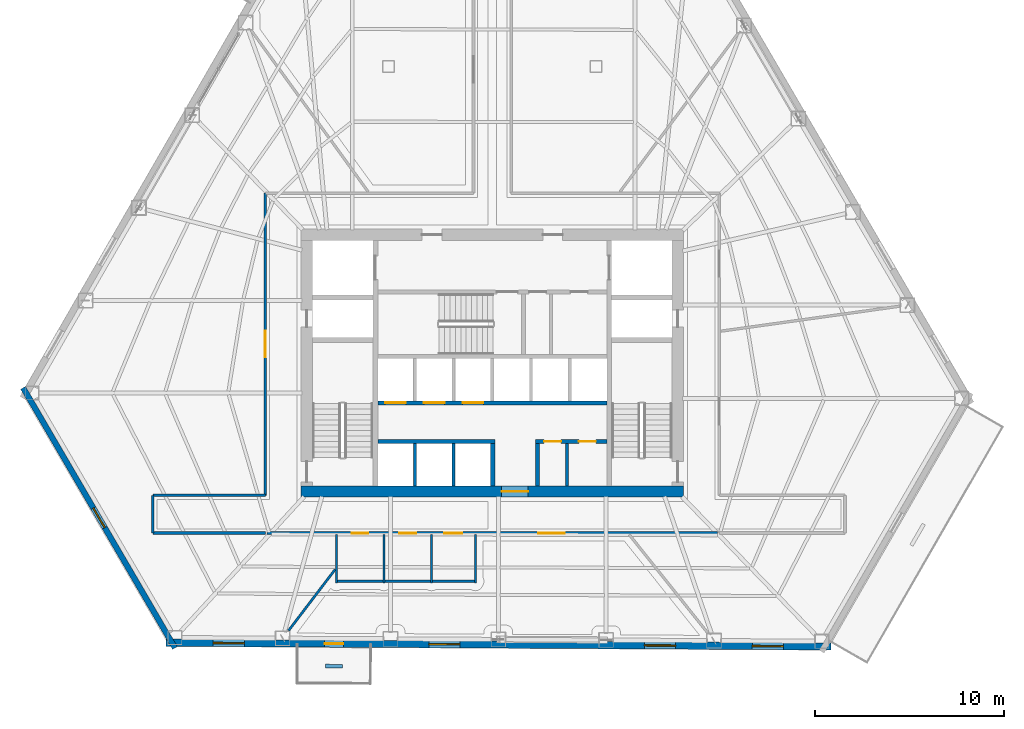
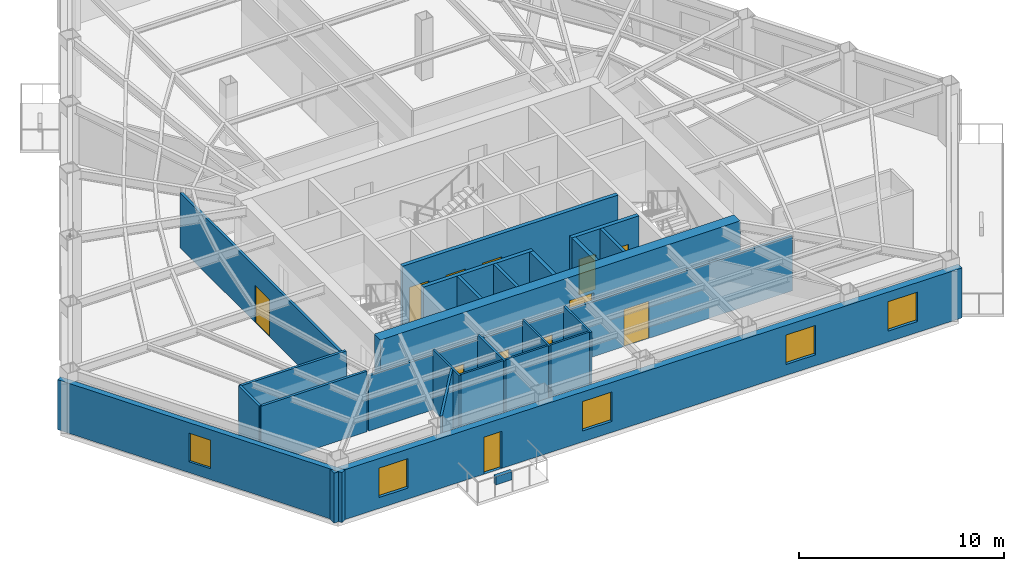
# One storey, part 10 of 16: 23 walls, 12 doors, 5 windows, 17 openings.
"""IFC4 building model written with IfcOpenShell, lengths in metres."""

import ifcopenshell
import ifcopenshell.guid

model = None  # the IFC model being written
_history = None  # IfcOwnerHistory: only IFC2X3 demands one
_inside = {}  # id of a spatial element -> (the spatial element, [elements in it])
_under = {}  # id of a project, library or spatial element -> (it, [spatial elements below it])
_declared = {}  # id of a project -> (the project, [libraries it declares])
_typed = {}  # id of a type object -> (the type object, [elements of that type])
_made_of = {}  # id of a material, layer set ... -> (it, [elements and type objects made of it])


def new_model(schema):
    """Start an empty IFC model of exactly this schema.

    Asked for "IFC4X3", IfcOpenShell would pick the latest addendum, in which some entities
    have other attributes; the version numbers below select the first issue.
    IFC2X3 requires an IfcOwnerHistory on every rooted entity: one is made here for all.
    """
    global model, _history
    if schema == "IFC4X3":
        model = ifcopenshell.file(schema_version=(4, 3, 0, 0))
    else:
        model = ifcopenshell.file(schema=schema)
    _inside.clear()
    _under.clear()
    _declared.clear()
    _typed.clear()
    _made_of.clear()
    _history = None
    if model.schema == "IFC2X3":
        org = make("IfcOrganization", Name="unknown")
        user = make(
            "IfcPersonAndOrganization",
            ThePerson=make("IfcPerson", FamilyName="unknown"),
            TheOrganization=org,
        )
        app = make(
            "IfcApplication",
            ApplicationDeveloper=org,
            Version="unknown",
            ApplicationFullName="unknown",
            ApplicationIdentifier="unknown",
        )
        _history = make(
            "IfcOwnerHistory",
            OwningUser=user,
            OwningApplication=app,
            ChangeAction="ADDED",
            CreationDate=0,
        )
    return model


def make(cls, **values):
    """One entity of the class cls with the attributes given. An attribute that is None is left unset."""
    return model.create_entity(
        cls, **{name: value for name, value in values.items() if value is not None}
    )


def rooted(cls, **values):
    """An entity with a GlobalId (a new one), such as an element, a storey or a relation."""
    return make(cls, GlobalId=ifcopenshell.guid.new(), OwnerHistory=_history, **values)


def si_unit(unit_type, name, prefix=None):
    """IfcSIUnit, for example si_unit("LENGTHUNIT", "METRE", prefix="MILLI")."""
    return make("IfcSIUnit", UnitType=unit_type, Prefix=prefix, Name=name)


def assignment(units):
    """IfcUnitAssignment: the units of a project."""
    return None if units is None else make("IfcUnitAssignment", Units=units)


def point(xyz):
    """IfcCartesianPoint."""
    return None if xyz is None else make("IfcCartesianPoint", Coordinates=xyz)


def direction(xyz):
    """IfcDirection."""
    return None if xyz is None else make("IfcDirection", DirectionRatios=xyz)


def frame(location, z_axis=None, x_axis=None):
    """IfcAxis2Placement3D, a coordinate frame: its origin and axes. An axis left out is left unset."""
    return make(
        "IfcAxis2Placement3D",
        Location=point(location),
        Axis=direction(z_axis),
        RefDirection=direction(x_axis),
    )


def frame_2d(location, x_axis=None):
    """IfcAxis2Placement2D, a coordinate frame in the plane: its origin and x axis."""
    return make(
        "IfcAxis2Placement2D", Location=point(location), RefDirection=direction(x_axis)
    )


def origin():
    """The frame at (0, 0, 0) with its axes left unset."""
    return frame((0.0, 0.0, 0.0))


def place(relative_to, where):
    """IfcLocalPlacement: puts the frame where relative to a parent placement (None: the world)."""
    return make(
        "IfcLocalPlacement", PlacementRelTo=relative_to, RelativePlacement=where
    )


def context(
    kind, dimensions, precision=None, world=None, true_north=None, identifier=None
):
    """IfcGeometricRepresentationContext, for example the 3D "Model" context."""
    return make(
        "IfcGeometricRepresentationContext",
        ContextIdentifier=identifier,
        ContextType=kind,
        CoordinateSpaceDimension=dimensions,
        Precision=precision,
        WorldCoordinateSystem=world,
        TrueNorth=true_north,
    )


def subcontext(parent, identifier, kind, view, scale=None):
    """IfcGeometricRepresentationSubContext, for example "Body" below "Model"."""
    return make(
        "IfcGeometricRepresentationSubContext",
        ContextIdentifier=identifier,
        ContextType=kind,
        ParentContext=parent,
        TargetScale=scale,
        TargetView=view,
    )


def project(units=None, contexts=None):
    """IfcProject with its units and contexts."""
    return rooted(
        "IfcProject",
        Name="project",
        RepresentationContexts=contexts,
        UnitsInContext=assignment(units),
    )


def spatial(cls, under=None, at=None, **own):
    """A site, building, storey or space (cls), placed at a placement, below another one or the project."""
    s = rooted(cls, ObjectPlacement=at, **own)
    if under is not None:
        _under.setdefault(under.id(), (under, []))[1].append(s)
    return s


def profile(cls, at=None, kind="AREA", **sizes):
    """A parametric profile (cls). Its sizes go by their IFC names, for example OverallWidth=200.0."""
    return make(cls, ProfileType=kind, Position=at, **sizes)


def rectangle(**sizes):
    """IfcRectangleProfileDef."""
    return profile("IfcRectangleProfileDef", **sizes)


def extrude(swept, where, along, depth):
    """IfcExtrudedAreaSolid: the profile swept, set in the frame where, extruded along a direction by depth."""
    return make(
        "IfcExtrudedAreaSolid",
        SweptArea=swept,
        Position=where,
        ExtrudedDirection=direction(along),
        Depth=depth,
    )


def shape(context_of_items, identifier, shape_type, items):
    """IfcShapeRepresentation: the items that make up one representation, for example the "Body"."""
    return make(
        "IfcShapeRepresentation",
        ContextOfItems=context_of_items,
        RepresentationIdentifier=identifier,
        RepresentationType=shape_type,
        Items=items,
    )


def material(Name=None, Category=None):
    """IfcMaterial."""
    return make("IfcMaterial", Name=Name, Category=Category)


def layer(
    of_material, thickness, ventilated=None, Name=None, Category=None, Priority=None
):
    """IfcMaterialLayer: one layer of a wall or slab, of a material (None: an air gap)."""
    return make(
        "IfcMaterialLayer",
        Material=of_material,
        LayerThickness=thickness,
        IsVentilated=ventilated,
        Name=Name,
        Category=Category,
        Priority=Priority,
    )


def layer_set(layers, Name=None):
    """IfcMaterialLayerSet."""
    return make("IfcMaterialLayerSet", MaterialLayers=layers, LayerSetName=Name)


def made_of(thing, what):
    """Note that an element or type object is made of a material, layer set ...; save() writes the relation."""
    if what is not None:
        _made_of.setdefault(what.id(), (what, []))[1].append(thing)
    return thing


def type_object(cls, material=None, **own):
    """A type object (cls), such as IfcWallType, which elements share."""
    return made_of(rooted(cls, **own), material)


def element(
    cls,
    number,
    at=None,
    inside=None,
    cuts=None,
    type_object=None,
    material=None,
    context=None,
    identifier="Body",
    shape_type=None,
    held_by="IfcProductDefinitionShape",
    body=None,
    shapes=None,
    **own,
):
    """One element of the class cls, such as IfcWall. Its Tag is "e" and its number.

    at: its placement. inside: the storey or other place that contains it. cuts: it is an
    opening in that element (IfcRelVoidsElement). A single representation is given by context,
    identifier, shape_type and body (its items); several are given by shapes. held_by: the class
    of the entity that holds the representations. save() writes the other relations.
    """
    e = rooted(cls, Tag="e%d" % number, ObjectPlacement=at, **own)
    if body is not None:
        shapes = [shape(context, identifier, shape_type, body)]
    if shapes is not None:
        e.Representation = make(held_by, Representations=shapes)
    if inside is not None:
        _inside.setdefault(inside.id(), (inside, []))[1].append(e)
    if cuts is not None:
        rooted(
            "IfcRelVoidsElement", RelatingBuildingElement=cuts, RelatedOpeningElement=e
        )
    if type_object is not None:
        _typed.setdefault(type_object.id(), (type_object, []))[1].append(e)
    return made_of(e, material)


def fill(opening, filler):
    """IfcRelFillsElement: the door or window that sits in an opening."""
    return rooted(
        "IfcRelFillsElement",
        RelatingOpeningElement=opening,
        RelatedBuildingElement=filler,
    )


def aggregate(whole, parts):
    """IfcRelAggregates: a whole, such as a stair, and the parts it consists of."""
    return rooted("IfcRelAggregates", RelatingObject=whole, RelatedObjects=parts)


def save(model, path):
    """Write the relations noted so far, then the file.

    IfcRelAggregates (storeys below a building ...), IfcRelContainedInSpatialStructure (elements
    in a storey), IfcRelDefinesByType, IfcRelAssociatesMaterial and IfcRelDeclares: one each for
    every whole, place, type object, material and project.
    """
    for whole, parts in _under.values():
        aggregate(whole, parts)
    for where, things in _inside.values():
        rooted(
            "IfcRelContainedInSpatialStructure",
            RelatedElements=things,
            RelatingStructure=where,
        )
    for kind, things in _typed.values():
        rooted("IfcRelDefinesByType", RelatedObjects=things, RelatingType=kind)
    for what, things in _made_of.values():
        rooted("IfcRelAssociatesMaterial", RelatedObjects=things, RelatingMaterial=what)
    for by, libraries in _declared.values():
        rooted("IfcRelDeclares", RelatingContext=by, RelatedDefinitions=libraries)
    model.write(path)


model = new_model("IFC4")

# Units and contexts
model_context = context("Model", 3, precision=1e-05, world=origin(), true_north=direction((0.0, 1.0)))
body_context = subcontext(model_context, "Body", "Model", "MODEL_VIEW")
ifc_project = project(units=[si_unit("LENGTHUNIT", "METRE"), si_unit("AREAUNIT", "SQUARE_METRE"), si_unit("VOLUMEUNIT", "CUBIC_METRE"), si_unit("PLANEANGLEUNIT", "RADIAN"), si_unit("MASSUNIT", "GRAM", prefix="KILO")], contexts=[model_context])

# Site, building, storey
site_placement = place(None, origin())
site = spatial("IfcSite", under=ifc_project, at=site_placement, CompositionType="ELEMENT")
building_placement = place(site_placement, origin())
building = spatial("IfcBuilding", under=site, at=building_placement, Name="Kavelnor Concourse Tower", CompositionType="ELEMENT")
storey_placement = place(building_placement, frame((0.0, 0.0, 48.35009765625)))
storey = spatial("IfcBuildingStorey", under=building, at=storey_placement, Name="L12", CompositionType="ELEMENT", Elevation=48.35009765625)

# Wall, opening, door
ifc_material_1 = material(Name="Concrete C60/75", Category="concrete")
ifc_layer_1 = layer(ifc_material_1, 0.60009765625, Name="Concrete C60/75")
ifc_layer_set_1 = layer_set([ifc_layer_1], Name="Concrete C60/75")
wall_type_1 = type_object("IfcWallType", Name="WL-CORE-Z1-600", PredefinedType="SOLIDWALL", material=ifc_layer_set_1)
wall_1_placement = place(storey_placement, frame((27.8798828125, 9.300048828125, 0.0), z_axis=(0.0, 0.0, 1.0), x_axis=(1.0, 0.0, 0.0)))
wall_1 = element("IfcWall", 1, at=wall_1_placement, inside=storey, type_object=wall_type_1, Name="L12 Central Core South Shear Wall", PredefinedType="SOLIDWALL", context=body_context, shape_type="SweptSolid", body=[
    extrude(rectangle(XDim=20.240234375, YDim=0.60009765625, at=frame_2d((10.1201171875, 0.0))), origin(), (0.0, 0.0, 1.0), 3.58984375),
])
opening_1_placement = place(wall_1_placement, frame((10.6201171875, 0.0, 0.0)))
opening_1 = element("IfcOpeningElement", 2, at=opening_1_placement, cuts=wall_1, Name="Opening SD-140", PredefinedType="OPENING", context=body_context, shape_type="SweptSolid", body=[
    extrude(rectangle(XDim=1.39990234375, YDim=2.199951171875, at=frame_2d((0.699951171875, 1.10009765625))), frame((0.0, 0.31005859375, 0.0), z_axis=(0.0, -1.0, 0.0), x_axis=(1.0, 0.0, 0.0)), (0.0, 0.0, 1.0), 0.6201171875),
])
ifc_material_2 = material(Name="Solid-core hardwood timber", Category="wood")
door_type_1 = type_object("IfcDoorType", Name="DR-SUITE-ENTRY-1400", OperationType="NOTDEFINED", PredefinedType="DOOR", material=ifc_material_2)
door_1_placement = place(opening_1_placement, origin())
door_1 = element("IfcDoor", 3, at=door_1_placement, inside=storey, type_object=door_type_1, Name="L12 Passenger Lift Lobby Entry Door", OperationType="SINGLE_SWING_LEFT", OverallHeight=2.199951171875, OverallWidth=1.39990234375, PredefinedType="DOOR", context=body_context, shape_type="SweptSolid", body=[
    extrude(rectangle(XDim=1.39990234375, YDim=2.199951171875, at=frame_2d((0.699951171875, 1.10009765625))), frame((0.0, 0.02490234375, 0.0), z_axis=(0.0, -1.0, 0.0), x_axis=(1.0, 0.0, 0.0)), (0.0, 0.0, 1.0), 0.050048828125),
])
fill(opening_1, door_1)

# Wall, opening, window
ifc_material_3 = material(Name="Buff ironspot clay face brick masonry", Category="masonry")
ifc_layer_2 = layer(ifc_material_3, 0.300048828125, Name="Buff ironspot clay face brick masonry")
ifc_layer_set_2 = layer_set([ifc_layer_2], Name="Buff ironspot clay face brick masonry")
wall_type_2 = type_object("IfcWallType", Name="WL-EXT-BUFF-BRICK-FOLD-300", PredefinedType="STANDARD", material=ifc_layer_set_2)
wall_2_placement = place(storey_placement, frame((21.197509765625, 1.01416015625, 0.0), z_axis=(0.0, 0.0, 1.0), x_axis=(-0.504136446116, 0.863624017555, 0.0)))
wall_2 = element("IfcWall", 4, at=wall_2_placement, inside=storey, type_object=wall_type_2, Name="L12 Exterior Brick Facade Wall E2", PredefinedType="STANDARD", context=body_context, shape_type="SweptSolid", body=[
    extrude(rectangle(XDim=15.954833984375, YDim=0.300048828125, at=frame_2d((7.9775390625, 0.0))), origin(), (0.0, 0.0, 1.0), 2.969970703125),
])
opening_2_placement = place(wall_2_placement, frame((7.37744140625, 0.0, 0.64990234375)))
opening_2 = element("IfcOpeningElement", 5, at=opening_2_placement, cuts=wall_2, Name="Opening W-05", PredefinedType="OPENING", context=body_context, shape_type="SweptSolid", body=[
    extrude(rectangle(XDim=1.199951171875, YDim=1.699951171875, at=frame_2d((0.60009765625, 0.85009765625))), frame((0.0, 0.16015625, 0.0), z_axis=(0.0, -1.0, 0.0), x_axis=(1.0, 0.0, 0.0)), (0.0, 0.0, 1.0), 0.320068359375),
])
ifc_material_4 = material(Name="Double low-E argon insulated glazing", Category="glass")
window_type_1 = type_object("IfcWindowType", Name="WIN-FOLD-1200", PartitioningType="SINGLE_PANEL", PredefinedType="WINDOW", material=ifc_material_4)
window_1_placement = place(opening_2_placement, origin())
window_1 = element("IfcWindow", 6, at=window_1_placement, inside=storey, type_object=window_type_1, Name="L12 Chamfer-Fold Facet Window C1", OverallHeight=1.699951171875, OverallWidth=1.199951171875, PartitioningType="SINGLE_PANEL", PredefinedType="WINDOW", context=body_context, shape_type="SweptSolid", body=[
    extrude(rectangle(XDim=1.199951171875, YDim=1.699951171875, at=frame_2d((0.60009765625, 0.85009765625))), frame((0.0, 0.030029296875, 0.0), z_axis=(0.0, -1.0, 0.0), x_axis=(1.0, 0.0, 0.0)), (0.0, 0.0, 1.0), 0.06005859375),
])
fill(opening_2, window_1)

# Wall, openings, door, windows
ifc_material_5 = material(Name="Red-ochre clay face brick masonry", Category="masonry")
ifc_layer_3 = layer(ifc_material_5, 0.3798828125, Name="Red-ochre clay face brick masonry")
ifc_layer_set_3 = layer_set([ifc_layer_3], Name="Red-ochre clay face brick masonry")
wall_type_3 = type_object("IfcWallType", Name="WL-EXT-RED-BRICK-PIER-380", PredefinedType="STANDARD", material=ifc_layer_set_3)
wall_3_placement = place(storey_placement, frame((55.9228515625, 1.095703125, 0.0), z_axis=(0.0, 0.0, 1.0), x_axis=(-0.999984419156, 0.005582243732, 0.0)))
wall_3 = element("IfcWall", 7, at=wall_3_placement, inside=storey, type_object=wall_type_3, Name="L12 Exterior Brick Facade Wall E3", PredefinedType="STANDARD", context=body_context, shape_type="SweptSolid", body=[
    extrude(rectangle(XDim=35.206787109375, YDim=0.3798828125, at=frame_2d((17.603515625, 0.0))), origin(), (0.0, 0.0, 1.0), 2.969970703125),
])
opening_3_placement = place(wall_3_placement, frame((25.80517578125, 0.0, 0.0)))
opening_3 = element("IfcOpeningElement", 8, at=opening_3_placement, cuts=wall_3, Name="Opening BD-100", PredefinedType="OPENING", context=body_context, shape_type="SweptSolid", body=[
    extrude(rectangle(XDim=1.0, YDim=2.199951171875, at=frame_2d((0.5, 1.10009765625))), frame((0.0, 0.199951171875, 0.0), z_axis=(0.0, -1.0, 0.0), x_axis=(1.0, 0.0, 0.0)), (0.0, 0.0, 1.0), 0.39990234375),
])
opening_4_placement = place(wall_3_placement, frame((31.0537109375, 0.0, 0.64990234375)))
opening_4 = element("IfcOpeningElement", 9, at=opening_4_placement, cuts=wall_3, Name="Opening W-01", PredefinedType="OPENING", context=body_context, shape_type="SweptSolid", body=[
    extrude(rectangle(XDim=1.64990234375, YDim=1.75, at=frame_2d((0.824951171875, 0.875))), frame((0.0, 0.199951171875, 0.0), z_axis=(0.0, -1.0, 0.0), x_axis=(1.0, 0.0, 0.0)), (0.0, 0.0, 1.0), 0.39990234375),
])
opening_5_placement = place(wall_3_placement, frame((19.6357421875, 0.0, 0.64990234375)))
opening_5 = element("IfcOpeningElement", 10, at=opening_5_placement, cuts=wall_3, Name="Opening W-01", PredefinedType="OPENING", context=body_context, shape_type="SweptSolid", body=[
    extrude(rectangle(XDim=1.64990234375, YDim=1.75, at=frame_2d((0.824951171875, 0.875))), frame((0.0, 0.199951171875, 0.0), z_axis=(0.0, -1.0, 0.0), x_axis=(1.0, 0.0, 0.0)), (0.0, 0.0, 1.0), 0.39990234375),
])
opening_6_placement = place(wall_3_placement, frame((8.2177734375, 0.0, 0.64990234375)))
opening_6 = element("IfcOpeningElement", 11, at=opening_6_placement, cuts=wall_3, Name="Opening W-01", PredefinedType="OPENING", context=body_context, shape_type="SweptSolid", body=[
    extrude(rectangle(XDim=1.64990234375, YDim=1.75, at=frame_2d((0.824951171875, 0.875))), frame((0.0, 0.199951171875, 0.0), z_axis=(0.0, -1.0, 0.0), x_axis=(1.0, 0.0, 0.0)), (0.0, 0.0, 1.0), 0.39990234375),
])
opening_7_placement = place(wall_3_placement, frame((2.5087890625, 0.0, 0.64990234375)))
opening_7 = element("IfcOpeningElement", 12, at=opening_7_placement, cuts=wall_3, Name="Opening W-01", PredefinedType="OPENING", context=body_context, shape_type="SweptSolid", body=[
    extrude(rectangle(XDim=1.64990234375, YDim=1.75, at=frame_2d((0.824951171875, 0.875))), frame((0.0, 0.199951171875, 0.0), z_axis=(0.0, -1.0, 0.0), x_axis=(1.0, 0.0, 0.0)), (0.0, 0.0, 1.0), 0.39990234375),
])
ifc_material_6 = material(Name="Anodised aluminium 6063-T6", Category="aluminium")
door_type_2 = type_object("IfcDoorType", Name="DR-BALCONY-EXT-1000", OperationType="NOTDEFINED", PredefinedType="DOOR", material=ifc_material_6)
door_2_placement = place(opening_3_placement, origin())
door_2 = element("IfcDoor", 13, at=door_2_placement, inside=storey, type_object=door_type_2, Name="L12 Tree Balcony 2 Glazed Door", OperationType="SINGLE_SWING_RIGHT", OverallHeight=2.199951171875, OverallWidth=1.0, PredefinedType="DOOR", context=body_context, shape_type="SweptSolid", body=[
    extrude(rectangle(XDim=1.0, YDim=2.199951171875, at=frame_2d((0.5, 1.10009765625))), frame((0.0, 0.02490234375, 0.0), z_axis=(0.0, -1.0, 0.0), x_axis=(1.0, 0.0, 0.0)), (0.0, 0.0, 1.0), 0.050048828125),
])
fill(opening_3, door_2)
window_type_2 = type_object("IfcWindowType", Name="WIN-PIER-Z1-1800", PartitioningType="SINGLE_PANEL", PredefinedType="WINDOW", material=ifc_material_4)
window_2_placement = place(opening_4_placement, origin())
window_2 = element("IfcWindow", 14, at=window_2_placement, inside=storey, type_object=window_type_2, Name="L12 Deep-Set Brick Pier Window F1-B0", OverallHeight=1.75, OverallWidth=1.64990234375, PartitioningType="SINGLE_PANEL", PredefinedType="WINDOW", context=body_context, shape_type="SweptSolid", body=[
    extrude(rectangle(XDim=1.64990234375, YDim=1.75, at=frame_2d((0.824951171875, 0.875))), frame((0.0, 0.030029296875, 0.0), z_axis=(0.0, -1.0, 0.0), x_axis=(1.0, 0.0, 0.0)), (0.0, 0.0, 1.0), 0.06005859375),
])
fill(opening_4, window_2)
window_3_placement = place(opening_5_placement, origin())
window_3 = element("IfcWindow", 15, at=window_3_placement, inside=storey, type_object=window_type_2, Name="L12 Deep-Set Brick Pier Window F1-B2", OverallHeight=1.75, OverallWidth=1.64990234375, PartitioningType="SINGLE_PANEL", PredefinedType="WINDOW", context=body_context, shape_type="SweptSolid", body=[
    extrude(rectangle(XDim=1.64990234375, YDim=1.75, at=frame_2d((0.824951171875, 0.875))), frame((0.0, 0.030029296875, 0.0), z_axis=(0.0, -1.0, 0.0), x_axis=(1.0, 0.0, 0.0)), (0.0, 0.0, 1.0), 0.06005859375),
])
fill(opening_5, window_3)
window_4_placement = place(opening_6_placement, origin())
window_4 = element("IfcWindow", 16, at=window_4_placement, inside=storey, type_object=window_type_2, Name="L12 Deep-Set Brick Pier Window F1-B4", OverallHeight=1.75, OverallWidth=1.64990234375, PartitioningType="SINGLE_PANEL", PredefinedType="WINDOW", context=body_context, shape_type="SweptSolid", body=[
    extrude(rectangle(XDim=1.64990234375, YDim=1.75, at=frame_2d((0.824951171875, 0.875))), frame((0.0, 0.030029296875, 0.0), z_axis=(0.0, -1.0, 0.0), x_axis=(1.0, 0.0, 0.0)), (0.0, 0.0, 1.0), 0.06005859375),
])
fill(opening_6, window_4)
window_5_placement = place(opening_7_placement, origin())
window_5 = element("IfcWindow", 17, at=window_5_placement, inside=storey, type_object=window_type_2, Name="L12 Deep-Set Brick Pier Window F1-B5", OverallHeight=1.75, OverallWidth=1.64990234375, PartitioningType="SINGLE_PANEL", PredefinedType="WINDOW", context=body_context, shape_type="SweptSolid", body=[
    extrude(rectangle(XDim=1.64990234375, YDim=1.75, at=frame_2d((0.824951171875, 0.875))), frame((0.0, 0.030029296875, 0.0), z_axis=(0.0, -1.0, 0.0), x_axis=(1.0, 0.0, 0.0)), (0.0, 0.0, 1.0), 0.06005859375),
])
fill(opening_7, window_5)

# Wall
ifc_material_7 = material(Name="Gypsum plasterboard on light-gauge steel studs", Category="steel")
ifc_layer_4 = layer(ifc_material_7, 0.14501953125, Name="Gypsum plasterboard on light-gauge steel studs")
ifc_layer_set_4 = layer_set([ifc_layer_4], Name="Gypsum plasterboard on light-gauge steel studs")
wall_type_4 = type_object("IfcWallType", Name="WL-INT-CORR-145", PredefinedType="PARTITIONING", material=ifc_layer_set_4)
wall_4_placement = place(storey_placement, frame((20.020751953125, 9.10009765625, 0.0), z_axis=(0.0, 0.0, 1.0), x_axis=(1.0, 0.0, 0.0)))
element("IfcWall", 18, at=wall_4_placement, inside=storey, type_object=wall_type_4, Name="L12 Corridor Wall WL-L12-CR-01", PredefinedType="PARTITIONING", context=body_context, shape_type="SweptSolid", body=[
    extrude(rectangle(XDim=5.959228515625, YDim=0.14501953125, at=frame_2d((2.9794921875, 0.0))), origin(), (0.0, 0.0, 1.0), 3.58984375),
])

# Wall, opening, door
wall_5_placement = place(storey_placement, frame((25.97998046875, 9.10009765625, 0.0), z_axis=(0.0, 0.0, 1.0), x_axis=(0.0, 1.0, 0.0)))
wall_5 = element("IfcWall", 19, at=wall_5_placement, inside=storey, type_object=wall_type_4, Name="L12 Corridor Wall WL-L12-CR-02", PredefinedType="PARTITIONING", context=body_context, shape_type="SweptSolid", body=[
    extrude(rectangle(XDim=16.0, YDim=0.14501953125, at=frame_2d((8.0, 0.0))), origin(), (0.0, 0.0, 1.0), 3.27783203125),
])
opening_8_placement = place(wall_5_placement, frame((7.300048828125, 0.0, 0.0)))
opening_8 = element("IfcOpeningElement", 20, at=opening_8_placement, cuts=wall_5, Name="Opening SD-140", PredefinedType="OPENING", context=body_context, shape_type="SweptSolid", body=[
    extrude(rectangle(XDim=1.39990234375, YDim=2.199951171875, at=frame_2d((0.699951171875, 1.10009765625))), frame((0.0, 0.08251953125, 0.0), z_axis=(0.0, -1.0, 0.0), x_axis=(1.0, 0.0, 0.0)), (0.0, 0.0, 1.0), 0.1650390625),
])
door_3_placement = place(opening_8_placement, origin())
door_3 = element("IfcDoor", 21, at=door_3_placement, inside=storey, type_object=door_type_1, Name="L12 Client Concierge 03 Door", OperationType="SINGLE_SWING_RIGHT", OverallHeight=2.199951171875, OverallWidth=1.39990234375, PredefinedType="DOOR", context=body_context, shape_type="SweptSolid", body=[
    extrude(rectangle(XDim=1.39990234375, YDim=2.199951171875, at=frame_2d((0.699951171875, 1.10009765625))), frame((0.0, 0.02490234375, 0.0), z_axis=(0.0, -1.0, 0.0), x_axis=(1.0, 0.0, 0.0)), (0.0, 0.0, 1.0), 0.050048828125),
])
fill(opening_8, door_3)

# Wall, openings, doors
wall_6_placement = place(storey_placement, frame((49.919921875, 7.10009765625, 0.0), z_axis=(0.0, 0.0, 1.0), x_axis=(-1.0, 0.0, 0.0)))
wall_6 = element("IfcWall", 22, at=wall_6_placement, inside=storey, type_object=wall_type_4, Name="L12 Corridor Wall WL-L12-CR-12", PredefinedType="PARTITIONING", context=body_context, shape_type="SweptSolid", body=[
    extrude(rectangle(XDim=23.83984375, YDim=0.14501953125, at=frame_2d((11.919921875, 0.0))), origin(), (0.0, 0.0, 1.0), 3.27783203125),
])
opening_9_placement = place(wall_6_placement, frame((18.47998046875, 0.0, 0.0)))
opening_9 = element("IfcOpeningElement", 23, at=opening_9_placement, cuts=wall_6, Name="Opening WD-088", PredefinedType="OPENING", context=body_context, shape_type="SweptSolid", body=[
    extrude(rectangle(XDim=0.8798828125, YDim=2.10009765625, at=frame_2d((0.43994140625, 1.050048828125))), frame((0.0, 0.08251953125, 0.0), z_axis=(0.0, -1.0, 0.0), x_axis=(1.0, 0.0, 0.0)), (0.0, 0.0, 1.0), 0.1650390625),
])
opening_10_placement = place(wall_6_placement, frame((15.9599609375, 0.0, 0.0)))
opening_10 = element("IfcOpeningElement", 24, at=opening_10_placement, cuts=wall_6, Name="Opening WD-088", PredefinedType="OPENING", context=body_context, shape_type="SweptSolid", body=[
    extrude(rectangle(XDim=0.8798828125, YDim=2.10009765625, at=frame_2d((0.43994140625, 1.050048828125))), frame((0.0, 0.08251953125, 0.0), z_axis=(0.0, -1.0, 0.0), x_axis=(1.0, 0.0, 0.0)), (0.0, 0.0, 1.0), 0.1650390625),
])
opening_11_placement = place(wall_6_placement, frame((13.5, 0.0, 0.0)))
opening_11 = element("IfcOpeningElement", 25, at=opening_11_placement, cuts=wall_6, Name="Opening WD-096", PredefinedType="OPENING", context=body_context, shape_type="SweptSolid", body=[
    extrude(rectangle(XDim=0.9599609375, YDim=2.10009765625, at=frame_2d((0.47998046875, 1.050048828125))), frame((0.0, 0.08251953125, 0.0), z_axis=(0.0, -1.0, 0.0), x_axis=(1.0, 0.0, 0.0)), (0.0, 0.0, 1.0), 0.1650390625),
])
opening_12_placement = place(wall_6_placement, frame((8.085205078125, 0.0, 0.0)))
opening_12 = element("IfcOpeningElement", 26, at=opening_12_placement, cuts=wall_6, Name="Opening SD-140", PredefinedType="OPENING", context=body_context, shape_type="SweptSolid", body=[
    extrude(rectangle(XDim=1.39990234375, YDim=2.199951171875, at=frame_2d((0.699951171875, 1.10009765625))), frame((0.0, 0.08251953125, 0.0), z_axis=(0.0, -1.0, 0.0), x_axis=(1.0, 0.0, 0.0)), (0.0, 0.0, 1.0), 0.1650390625),
])
door_4_placement = place(opening_12_placement, origin())
door_4 = element("IfcDoor", 27, at=door_4_placement, inside=storey, type_object=door_type_1, Name="L12 Executive Dining Room 04 Door", OperationType="SINGLE_SWING_LEFT", OverallHeight=2.199951171875, OverallWidth=1.39990234375, PredefinedType="DOOR", context=body_context, shape_type="SweptSolid", body=[
    extrude(rectangle(XDim=1.39990234375, YDim=2.199951171875, at=frame_2d((0.699951171875, 1.10009765625))), frame((0.0, 0.02490234375, 0.0), z_axis=(0.0, -1.0, 0.0), x_axis=(1.0, 0.0, 0.0)), (0.0, 0.0, 1.0), 0.050048828125),
])
fill(opening_12, door_4)
door_type_3 = type_object("IfcDoorType", Name="DR-WC-ACC-960", OperationType="NOTDEFINED", PredefinedType="DOOR", material=ifc_material_2)
door_5_placement = place(opening_11_placement, origin())
door_5 = element("IfcDoor", 28, at=door_5_placement, inside=storey, type_object=door_type_3, Name="L12 Accessible WC Door", OperationType="SINGLE_SWING_LEFT", OverallHeight=2.10009765625, OverallWidth=0.9599609375, PredefinedType="DOOR", context=body_context, shape_type="SweptSolid", body=[
    extrude(rectangle(XDim=0.9599609375, YDim=2.10009765625, at=frame_2d((0.47998046875, 1.050048828125))), frame((0.0, 0.02490234375, 0.0), z_axis=(0.0, -1.0, 0.0), x_axis=(1.0, 0.0, 0.0)), (0.0, 0.0, 1.0), 0.050048828125),
])
fill(opening_11, door_5)
door_type_4 = type_object("IfcDoorType", Name="DR-WC-STD-880", OperationType="NOTDEFINED", PredefinedType="DOOR", material=ifc_material_2)
door_6_placement = place(opening_9_placement, origin())
door_6 = element("IfcDoor", 29, at=door_6_placement, inside=storey, type_object=door_type_4, Name="L12 Male WC Door", OperationType="SINGLE_SWING_LEFT", OverallHeight=2.10009765625, OverallWidth=0.8798828125, PredefinedType="DOOR", context=body_context, shape_type="SweptSolid", body=[
    extrude(rectangle(XDim=0.8798828125, YDim=2.10009765625, at=frame_2d((0.43994140625, 1.050048828125))), frame((0.0, 0.02490234375, 0.0), z_axis=(0.0, -1.0, 0.0), x_axis=(1.0, 0.0, 0.0)), (0.0, 0.0, 1.0), 0.050048828125),
])
fill(opening_9, door_6)
door_7_placement = place(opening_10_placement, origin())
door_7 = element("IfcDoor", 30, at=door_7_placement, inside=storey, type_object=door_type_4, Name="L12 Female WC Door", OperationType="SINGLE_SWING_RIGHT", OverallHeight=2.10009765625, OverallWidth=0.8798828125, PredefinedType="DOOR", context=body_context, shape_type="SweptSolid", body=[
    extrude(rectangle(XDim=0.8798828125, YDim=2.10009765625, at=frame_2d((0.43994140625, 1.050048828125))), frame((0.0, 0.02490234375, 0.0), z_axis=(0.0, -1.0, 0.0), x_axis=(1.0, 0.0, 0.0)), (0.0, 0.0, 1.0), 0.050048828125),
])
fill(opening_10, door_7)

# Walls
wall_7_placement = place(storey_placement, frame((25.97998046875, 7.10009765625, 0.0), z_axis=(0.0, 0.0, 1.0), x_axis=(-1.0, 0.0, 0.0)))
element("IfcWall", 31, at=wall_7_placement, inside=storey, type_object=wall_type_4, Name="L12 Corridor Wall WL-L12-CR-13", PredefinedType="PARTITIONING", context=body_context, shape_type="SweptSolid", body=[
    extrude(rectangle(XDim=5.959228515625, YDim=0.14501953125, at=frame_2d((2.9794921875, 0.0))), origin(), (0.0, 0.0, 1.0), 3.58984375),
])
wall_8_placement = place(storey_placement, frame((20.020751953125, 7.10009765625, 0.0), z_axis=(0.0, 0.0, 1.0), x_axis=(0.0, 1.0, 0.0)))
element("IfcWall", 32, at=wall_8_placement, inside=storey, type_object=wall_type_4, Name="L12 Corridor Wall WL-L12-CR-14", PredefinedType="PARTITIONING", context=body_context, shape_type="SweptSolid", body=[
    extrude(rectangle(XDim=2.0, YDim=0.14501953125, at=frame_2d((1.0, 0.0))), origin(), (0.0, 0.0, 1.0), 3.58984375),
])
ifc_layer_5 = layer(ifc_material_7, 0.1650390625, Name="Gypsum plasterboard on light-gauge steel studs")
ifc_layer_set_5 = layer_set([ifc_layer_5], Name="Gypsum plasterboard on light-gauge steel studs")
wall_type_5 = type_object("IfcWallType", Name="WL-INT-FIRE-165", PredefinedType="PARTITIONING", material=ifc_layer_set_5)
for number, where, z_axis, x_axis, name in (
    (33, (33.89990234375, 9.60009765625, 0.0), (0.0, 0.0, 1.0), (0.0, 1.0, 0.0), "L12 Lift Shaft Divider LP7"),
    (34, (35.949951171875, 9.60009765625, 0.0), (0.0, 0.0, 1.0), (0.0, 1.0, 0.0), "L12 Lift Shaft Divider LP8"),
    (35, (41.949951171875, 9.60009765625, 0.0), (0.0, 0.0, 1.0), (0.0, 1.0, 0.0), "L12 Core WC Partition"),
):
    element("IfcWall", number, at=place(storey_placement, frame(where, z_axis=z_axis, x_axis=x_axis)), inside=storey, type_object=wall_type_5, Name=name, PredefinedType="PARTITIONING", context=body_context, shape_type="SweptSolid", body=[
        extrude(rectangle(XDim=2.239990234375, YDim=0.1650390625, at=frame_2d((1.1201171875, 0.0))), origin(), (0.0, 0.0, 1.0), 3.58984375),
    ])
ifc_layer_6 = layer(ifc_material_7, 0.125, Name="Gypsum plasterboard on light-gauge steel studs")
ifc_layer_set_6 = layer_set([ifc_layer_6], Name="Gypsum plasterboard on light-gauge steel studs")
wall_type_6 = type_object("IfcWallType", Name="WL-INT-SUITE-125", PredefinedType="PARTITIONING", material=ifc_layer_set_6)
wall_9_placement = place(storey_placement, frame((29.677001953125, 5.1728515625, 0.0), z_axis=(0.0, 0.0, 1.0), x_axis=(-0.605925707835, -0.795521235785, 0.0)))
element("IfcWall", 36, at=wall_9_placement, inside=storey, type_object=wall_type_6, Name="L12 Radial Suite Partition 04", PredefinedType="PARTITIONING", context=body_context, shape_type="SweptSolid", body=[
    extrude(rectangle(XDim=4.069091796875, YDim=0.125, at=frame_2d((2.03466796875, 0.0))), origin(), (0.0, 0.0, 1.0), 3.58984375),
])
ifc_layer_7 = layer(ifc_material_7, 0.110107421875, Name="Gypsum plasterboard on light-gauge steel studs")
ifc_layer_set_7 = layer_set([ifc_layer_7], Name="Gypsum plasterboard on light-gauge steel studs")
wall_type_7 = type_object("IfcWallType", Name="WL-INT-WC-110", PredefinedType="PLUMBINGWALL", material=ifc_layer_set_7)
for number, where, z_axis, x_axis, name in (
    (37, (29.739990234375, 4.449951171875, 0.0), (0.0, 0.0, 1.0), (0.0, 1.0, 0.0), "L12 Sanitary Partition WL-L12-WC-W"),
    (38, (32.260009765625, 4.449951171875, 0.0), (0.0, 0.0, 1.0), (0.0, 1.0, 0.0), "L12 Sanitary Partition WL-L12-WC-D1"),
    (39, (34.780029296875, 4.449951171875, 0.0), (0.0, 0.0, 1.0), (0.0, 1.0, 0.0), "L12 Sanitary Partition WL-L12-WC-D2"),
    (40, (37.10009765625, 4.449951171875, 0.0), (0.0, 0.0, 1.0), (0.0, 1.0, 0.0), "L12 Sanitary Partition WL-L12-WC-E"),
):
    element("IfcWall", number, at=place(storey_placement, frame(where, z_axis=z_axis, x_axis=x_axis)), inside=storey, type_object=wall_type_7, Name=name, PredefinedType="PLUMBINGWALL", context=body_context, shape_type="SweptSolid", body=[
        extrude(rectangle(XDim=2.580078125, YDim=0.110107421875, at=frame_2d((1.2900390625, 0.0))), origin(), (0.0, 0.0, 1.0), 3.58984375),
    ])
wall_10_placement = place(storey_placement, frame((29.68994140625, 4.550048828125, 0.0), z_axis=(0.0, 0.0, 1.0), x_axis=(1.0, 0.0, 0.0)))
element("IfcWall", 41, at=wall_10_placement, inside=storey, type_object=wall_type_7, Name="L12 Sanitary Partition WL-L12-WC-S", PredefinedType="PLUMBINGWALL", context=body_context, shape_type="SweptSolid", body=[
    extrude(rectangle(XDim=7.4599609375, YDim=0.110107421875, at=frame_2d((3.72998046875, 0.0))), origin(), (0.0, 0.0, 1.0), 3.58984375),
])
ifc_material_8 = material(Name="Architectural precast planter concrete C40/50", Category="concrete")
ifc_layer_8 = layer(ifc_material_8, 0.18994140625, Name="Architectural precast planter concrete C40/50")
ifc_layer_set_8 = layer_set([ifc_layer_8], Name="Architectural precast planter concrete C40/50")
wall_type_8 = type_object("IfcWallType", Name="WL-PLANTER-KERB-190", PredefinedType="USERDEFINED", material=ifc_layer_set_8)
wall_11_placement = place(storey_placement, frame((29.16162109375, 0.06005859375, 0.0), z_axis=(0.0, 0.0, 1.0), x_axis=(0.999983762355, -0.005698686298, 0.0)))
element("IfcWall", 42, at=wall_11_placement, inside=storey, type_object=wall_type_8, Name="L12 Tree Balcony 2 Tree Planter Kerb", ObjectType="PLANTER", PredefinedType="USERDEFINED", context=body_context, shape_type="SweptSolid", body=[
    extrude(rectangle(XDim=0.899658203125, YDim=0.18994140625, at=frame_2d((0.44970703125, 0.0))), origin(), (0.0, 0.0, 1.0), 0.5),
])

# Wall, openings, doors
ifc_material_9 = material(Name="Concrete C50/60", Category="concrete")
ifc_layer_9 = layer(ifc_material_9, 0.219970703125, Name="Concrete C50/60")
ifc_layer_set_9 = layer_set([ifc_layer_9], Name="Concrete C50/60")
wall_type_9 = type_object("IfcWallType", Name="WL-SHAFT-220", PredefinedType="SOLIDWALL", material=ifc_layer_set_9)
wall_12_placement = place(storey_placement, frame((31.93994140625, 13.989990234375, 0.0), z_axis=(0.0, 0.0, 1.0), x_axis=(1.0, 0.0, 0.0)))
wall_12 = element("IfcWall", 43, at=wall_12_placement, inside=storey, type_object=wall_type_9, Name="L12 North Lift Row Shaft Wall", PredefinedType="SOLIDWALL", context=body_context, shape_type="SweptSolid", body=[
    extrude(rectangle(XDim=12.1201171875, YDim=0.219970703125, at=frame_2d((6.06005859375, 0.0))), origin(), (0.0, 0.0, 1.0), 3.58984375),
])
opening_13_placement = place(wall_12_placement, frame((0.385009765625, 0.0, 0.0)))
opening_13 = element("IfcOpeningElement", 44, at=opening_13_placement, cuts=wall_12, Name="Opening LD-110", PredefinedType="OPENING", context=body_context, shape_type="SweptSolid", body=[
    extrude(rectangle(XDim=1.10009765625, YDim=2.199951171875, at=frame_2d((0.550048828125, 1.10009765625))), frame((0.0, 0.1201171875, 0.0), z_axis=(0.0, -1.0, 0.0), x_axis=(1.0, 0.0, 0.0)), (0.0, 0.0, 1.0), 0.239990234375),
])
opening_14_placement = place(wall_12_placement, frame((2.43505859375, 0.0, 0.0)))
opening_14 = element("IfcOpeningElement", 45, at=opening_14_placement, cuts=wall_12, Name="Opening LD-110", PredefinedType="OPENING", context=body_context, shape_type="SweptSolid", body=[
    extrude(rectangle(XDim=1.10009765625, YDim=2.199951171875, at=frame_2d((0.550048828125, 1.10009765625))), frame((0.0, 0.1201171875, 0.0), z_axis=(0.0, -1.0, 0.0), x_axis=(1.0, 0.0, 0.0)), (0.0, 0.0, 1.0), 0.239990234375),
])
opening_15_placement = place(wall_12_placement, frame((4.485107421875, 0.0, 0.0)))
opening_15 = element("IfcOpeningElement", 46, at=opening_15_placement, cuts=wall_12, Name="Opening LD-110", PredefinedType="OPENING", context=body_context, shape_type="SweptSolid", body=[
    extrude(rectangle(XDim=1.10009765625, YDim=2.199951171875, at=frame_2d((0.550048828125, 1.10009765625))), frame((0.0, 0.1201171875, 0.0), z_axis=(0.0, -1.0, 0.0), x_axis=(1.0, 0.0, 0.0)), (0.0, 0.0, 1.0), 0.239990234375),
])
ifc_material_10 = material(Name="Steel Grade 350", Category="steel")
door_type_5 = type_object("IfcDoorType", Name="DR-LIFT-SLIDING-1100", OperationType="NOTDEFINED", PredefinedType="DOOR", material=ifc_material_10)
door_8_placement = place(opening_13_placement, origin())
door_8 = element("IfcDoor", 47, at=door_8_placement, inside=storey, type_object=door_type_5, Name="L12 Lift LP1 Landing Door", OperationType="DOUBLE_DOOR_SLIDING", OverallHeight=2.199951171875, OverallWidth=1.10009765625, PredefinedType="DOOR", context=body_context, shape_type="SweptSolid", body=[
    extrude(rectangle(XDim=1.10009765625, YDim=2.199951171875, at=frame_2d((0.550048828125, 1.10009765625))), frame((0.0, 0.02490234375, 0.0), z_axis=(0.0, -1.0, 0.0), x_axis=(1.0, 0.0, 0.0)), (0.0, 0.0, 1.0), 0.050048828125),
])
fill(opening_13, door_8)
door_9_placement = place(opening_14_placement, origin())
door_9 = element("IfcDoor", 48, at=door_9_placement, inside=storey, type_object=door_type_5, Name="L12 Lift LP2 Landing Door", OperationType="DOUBLE_DOOR_SLIDING", OverallHeight=2.199951171875, OverallWidth=1.10009765625, PredefinedType="DOOR", context=body_context, shape_type="SweptSolid", body=[
    extrude(rectangle(XDim=1.10009765625, YDim=2.199951171875, at=frame_2d((0.550048828125, 1.10009765625))), frame((0.0, 0.02490234375, 0.0), z_axis=(0.0, -1.0, 0.0), x_axis=(1.0, 0.0, 0.0)), (0.0, 0.0, 1.0), 0.050048828125),
])
fill(opening_14, door_9)
door_10_placement = place(opening_15_placement, origin())
door_10 = element("IfcDoor", 49, at=door_10_placement, inside=storey, type_object=door_type_5, Name="L12 Lift LP3 Landing Door", OperationType="DOUBLE_DOOR_SLIDING", OverallHeight=2.199951171875, OverallWidth=1.10009765625, PredefinedType="DOOR", context=body_context, shape_type="SweptSolid", body=[
    extrude(rectangle(XDim=1.10009765625, YDim=2.199951171875, at=frame_2d((0.550048828125, 1.10009765625))), frame((0.0, 0.02490234375, 0.0), z_axis=(0.0, -1.0, 0.0), x_axis=(1.0, 0.0, 0.0)), (0.0, 0.0, 1.0), 0.050048828125),
])
fill(opening_15, door_10)

# Wall
wall_13_placement = place(storey_placement, frame((31.93994140625, 11.949951171875, 0.0), z_axis=(0.0, 0.0, 1.0), x_axis=(1.0, 0.0, 0.0)))
element("IfcWall", 50, at=wall_13_placement, inside=storey, type_object=wall_type_9, Name="L12 High-Rise Lift Bank North Wall", PredefinedType="SOLIDWALL", context=body_context, shape_type="SweptSolid", body=[
    extrude(rectangle(XDim=6.18994140625, YDim=0.219970703125, at=frame_2d((3.094970703125, 0.0))), origin(), (0.0, 0.0, 1.0), 3.58984375),
])

# Wall, openings, doors
wall_14_placement = place(storey_placement, frame((40.280029296875, 11.949951171875, 0.0), z_axis=(0.0, 0.0, 1.0), x_axis=(1.0, 0.0, 0.0)))
wall_14 = element("IfcWall", 51, at=wall_14_placement, inside=storey, type_object=wall_type_9, Name="L12 Core South Support North Wall", PredefinedType="SOLIDWALL", context=body_context, shape_type="SweptSolid", body=[
    extrude(rectangle(XDim=3.780029296875, YDim=0.219970703125, at=frame_2d((1.89013671875, 0.0))), origin(), (0.0, 0.0, 1.0), 3.58984375),
])
opening_16_placement = place(wall_14_placement, frame((0.469970703125, 0.0, 0.0)))
opening_16 = element("IfcOpeningElement", 52, at=opening_16_placement, cuts=wall_14, Name="Opening FD-090", PredefinedType="OPENING", context=body_context, shape_type="SweptSolid", body=[
    extrude(rectangle(XDim=0.89990234375, YDim=2.10009765625, at=frame_2d((0.449951171875, 1.050048828125))), frame((0.0, 0.1201171875, 0.0), z_axis=(0.0, -1.0, 0.0), x_axis=(1.0, 0.0, 0.0)), (0.0, 0.0, 1.0), 0.239990234375),
])
opening_17_placement = place(wall_14_placement, frame((2.300048828125, 0.0, 0.0)))
opening_17 = element("IfcOpeningElement", 53, at=opening_17_placement, cuts=wall_14, Name="Opening FD-090", PredefinedType="OPENING", context=body_context, shape_type="SweptSolid", body=[
    extrude(rectangle(XDim=0.89990234375, YDim=2.10009765625, at=frame_2d((0.449951171875, 1.050048828125))), frame((0.0, 0.1201171875, 0.0), z_axis=(0.0, -1.0, 0.0), x_axis=(1.0, 0.0, 0.0)), (0.0, 0.0, 1.0), 0.239990234375),
])
door_type_6 = type_object("IfcDoorType", Name="DR-RISER-FIRE-900", OperationType="NOTDEFINED", PredefinedType="DOOR", material=ifc_material_10)
door_11_placement = place(opening_16_placement, origin())
door_11 = element("IfcDoor", 54, at=door_11_placement, inside=storey, type_object=door_type_6, Name="L12 Staff WC Door", OperationType="SINGLE_SWING_LEFT", OverallHeight=2.10009765625, OverallWidth=0.89990234375, PredefinedType="DOOR", context=body_context, shape_type="SweptSolid", body=[
    extrude(rectangle(XDim=0.89990234375, YDim=2.10009765625, at=frame_2d((0.449951171875, 1.050048828125))), frame((0.0, 0.02490234375, 0.0), z_axis=(0.0, -1.0, 0.0), x_axis=(1.0, 0.0, 0.0)), (0.0, 0.0, 1.0), 0.050048828125),
])
fill(opening_16, door_11)
door_12_placement = place(opening_17_placement, origin())
door_12 = element("IfcDoor", 55, at=door_12_placement, inside=storey, type_object=door_type_6, Name="L12 Core Comms Door", OperationType="SINGLE_SWING_RIGHT", OverallHeight=2.10009765625, OverallWidth=0.89990234375, PredefinedType="DOOR", context=body_context, shape_type="SweptSolid", body=[
    extrude(rectangle(XDim=0.89990234375, YDim=2.10009765625, at=frame_2d((0.449951171875, 1.050048828125))), frame((0.0, 0.02490234375, 0.0), z_axis=(0.0, -1.0, 0.0), x_axis=(1.0, 0.0, 0.0)), (0.0, 0.0, 1.0), 0.050048828125),
])
fill(opening_17, door_12)

# Walls
for number, where, z_axis, x_axis, name in (
    (56, (38.02001953125, 9.60009765625, 0.0), (0.0, 0.0, 1.0), (0.0, 1.0, 0.0), "L12 Lift Lobby Throat West Wall"),
    (57, (40.389892578125, 9.60009765625, 0.0), (0.0, 0.0, 1.0), (0.0, 1.0, 0.0), "L12 Lift Lobby Throat East Wall"),
):
    element("IfcWall", number, at=place(storey_placement, frame(where, z_axis=z_axis, x_axis=x_axis)), inside=storey, type_object=wall_type_9, Name=name, PredefinedType="SOLIDWALL", context=body_context, shape_type="SweptSolid", body=[
        extrude(rectangle(XDim=2.239990234375, YDim=0.219970703125, at=frame_2d((1.1201171875, 0.0))), origin(), (0.0, 0.0, 1.0), 3.58984375),
    ])

save(model, "model.ifc")
